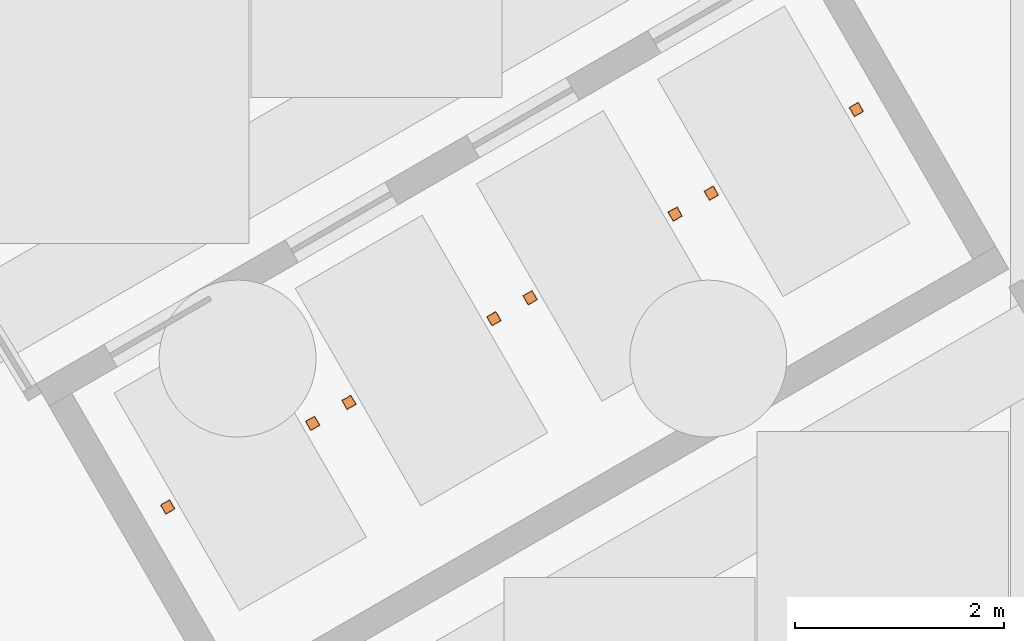
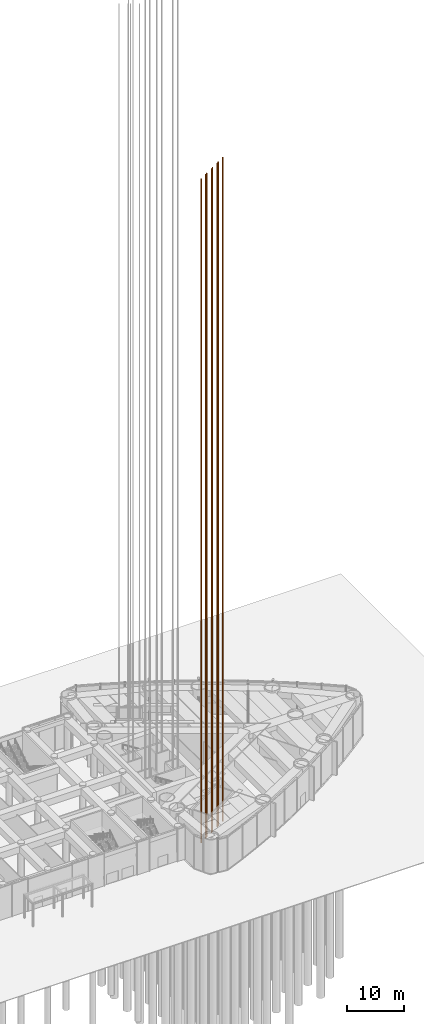
# One storey, part 37 of 43: 4 proxies.
"""IFC4 building model written with IfcOpenShell, lengths in metres."""

from ifc_helpers import new_model, si_unit, direction, frame, origin, origin_2d, place, context, subcontext, project, spatial, rectangle, extrude, material, type_object, element, save


model = new_model("IFC4")

# Units and contexts
model_context = context("Model", 3, precision=1e-05, world=origin(), true_north=direction((0.0, 1.0)))
body_context = subcontext(model_context, "Body", "Model", "MODEL_VIEW")
ifc_project = project(units=[si_unit("LENGTHUNIT", "METRE"), si_unit("AREAUNIT", "SQUARE_METRE"), si_unit("VOLUMEUNIT", "CUBIC_METRE"), si_unit("PLANEANGLEUNIT", "RADIAN"), si_unit("MASSUNIT", "GRAM", prefix="KILO")], contexts=[model_context])

# Site, building, storey
site_placement = place(None, origin())
site = spatial("IfcSite", under=ifc_project, at=site_placement, CompositionType="ELEMENT")
building_placement = place(site_placement, origin())
building = spatial("IfcBuilding", under=site, at=building_placement, Name="Lancet Gate Hotel", CompositionType="ELEMENT")
storey_placement = place(building_placement, origin())
storey = spatial("IfcBuildingStorey", under=building, at=storey_placement, Name="L00", CompositionType="ELEMENT", Elevation=0.0)

# Proxies
ifc_material = material(Name="Steel S355", Category="steel")
building_element_proxy_type = type_object("IfcBuildingElementProxyType", Name="Lift guide rails", PredefinedType="USERDEFINED", material=ifc_material)
for number, where, z_axis, x_axis, name in (
    (1, (33.158447265625, -16.7685546875, 0.0), (0.0, 0.0, 1.0), (0.499916865226, -0.866073396349, 0.0), "T2-LR1 guide rails"),
    (2, (34.89111328125, -15.7685546875, 0.0), (0.0, 0.0, 1.0), (0.499916865226, -0.866073396349, 0.0), "T2-LR2 guide rails"),
    (3, (36.623046875, -14.7685546875, 0.0), (0.0, 0.0, 1.0), (0.499916865226, -0.866073396349, 0.0), "T2-LR3 guide rails"),
    (4, (38.35498046875, -13.7685546875, 0.0), (0.0, 0.0, 1.0), (0.499916865226, -0.866073396349, 0.0), "T2-LR4 guide rails"),
):
    element("IfcBuildingElementProxy", number, at=place(storey_placement, frame(where, z_axis=z_axis, x_axis=x_axis)), inside=storey, type_object=building_element_proxy_type, Name=name, ObjectType="LIFT GUIDE RAILS", PredefinedType="USERDEFINED", context=body_context, shape_type="SweptSolid", body=[
        extrude(rectangle(XDim=0.1, YDim=0.1, at=origin_2d()), frame((0.0, -0.800048828125, 0.0)), (0.0, 0.0, 1.0), 142.60009765625),
        extrude(rectangle(XDim=0.1, YDim=0.1, at=origin_2d()), frame((0.0, 0.800048828125, 0.0)), (0.0, 0.0, 1.0), 142.60009765625),
    ])

save(model, "model.ifc")
